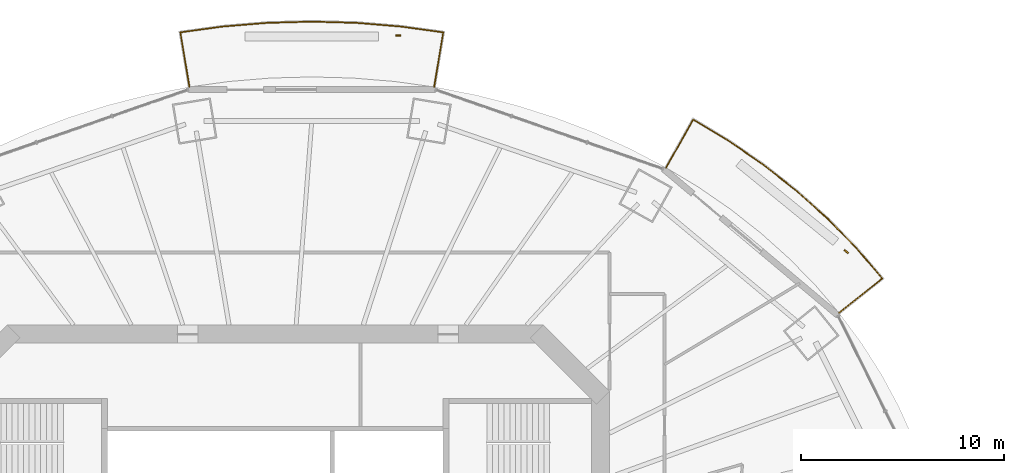
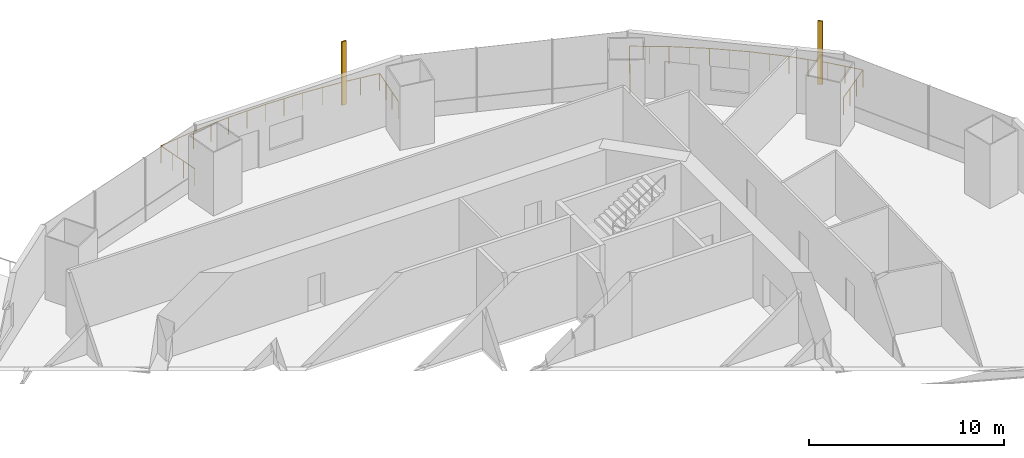
# One storey, part 18 of 20: 2 railings, 2 shading devices.
"""IFC4 building model written with IfcOpenShell, lengths in metres."""

from ifc_helpers import new_model, si_unit, direction, frame, origin, origin_2d, place, context, subcontext, project, spatial, rectangle, circle, extrude, material, material_profile, profile_set, type_object, element, save


model = new_model("IFC4")

# Units and contexts
model_context = context("Model", 3, precision=1e-05, world=origin(), true_north=direction((0.0, 1.0)))
body_context = subcontext(model_context, "Body", "Model", "MODEL_VIEW")
ifc_project = project(units=[si_unit("LENGTHUNIT", "METRE"), si_unit("AREAUNIT", "SQUARE_METRE"), si_unit("VOLUMEUNIT", "CUBIC_METRE"), si_unit("PLANEANGLEUNIT", "RADIAN"), si_unit("MASSUNIT", "GRAM", prefix="KILO")], contexts=[model_context])

# Site, building, storey
site_placement = place(None, origin())
site = spatial("IfcSite", under=ifc_project, at=site_placement, CompositionType="ELEMENT")
building_placement = place(site_placement, origin())
building = spatial("IfcBuilding", under=site, at=building_placement, Name="Marenthal Gate Tower", CompositionType="ELEMENT")
storey_placement = place(building_placement, frame((0.0, 0.0, 219.14990234375)))
storey = spatial("IfcBuildingStorey", under=building, at=storey_placement, Name="L48", CompositionType="ELEMENT", Elevation=219.14990234375)

# Railings
ifc_material_1 = material(Name="Stainless steel", Category="steel")
railing_type = type_object("IfcRailingType", Name="Balcony guard 1100", PredefinedType="GUARDRAIL", material=ifc_material_1)
railing_1_placement = place(storey_placement, frame((19.2314453125, 21.18701171875, 0.0)))
element("IfcRailing", 1, at=railing_1_placement, inside=storey, type_object=railing_type, Name="Balcony guard L48 bay 2", PredefinedType="GUARDRAIL", context=body_context, shape_type="SweptSolid", body=[
    extrude(circle(Radius=0.02392578125, at=origin_2d()), frame((0.0, 0.0, 1.076171875), z_axis=(0.489693071335, 0.871772141106, -0.014629760012), x_axis=(-0.871865448727, 0.489745484223, 0.0)), (0.0, 0.0, 1.0), 2.72021484375),
    extrude(circle(Radius=0.02392578125, at=origin_2d()), frame((1.33203125, 2.371337890625, 1.0361328125), z_axis=(0.856139874466, -0.51674414883, 0.0), x_axis=(0.51674414883, 0.856139874466, 0.0)), (0.0, 0.0, 1.0), 2.0263671875),
    extrude(circle(Radius=0.02392578125, at=origin_2d()), frame((3.06689453125, 1.32421875, 1.0361328125), z_axis=(0.823267382134, -0.56765378314, 0.0), x_axis=(0.56765378314, 0.823267382134, 0.0)), (0.0, 0.0, 1.0), 2.08984375),
    extrude(circle(Radius=0.02392578125, at=origin_2d()), frame((4.787353515625, 0.137939453125, 1.0361328125), z_axis=(0.785888916209, -0.618367699173, 0.0), x_axis=(0.618367699173, 0.785888916209, 0.0)), (0.0, 0.0, 1.0), 2.072265625),
    extrude(circle(Radius=0.02392578125, at=origin_2d()), frame((6.416015625, -1.1435546875, 1.0361328125), z_axis=(0.744433020663, -0.667697145229, 0.0), x_axis=(0.667697145229, 0.744433020663, 0.0)), (0.0, 0.0, 1.0), 2.05517578125),
    extrude(circle(Radius=0.02392578125, at=origin_2d()), frame((7.946044921875, -2.515869140625, 1.0361328125), z_axis=(0.698790859337, -0.715326033992, 0.0), x_axis=(0.715326033992, 0.698790859337, 0.0)), (0.0, 0.0, 1.0), 2.03759765625),
    extrude(circle(Radius=0.02392578125, at=origin_2d()), frame((9.369873046875, -3.973388671875, 1.0361328125), z_axis=(0.650003821806, -0.759930938729, 0.0), x_axis=(0.759930938729, 0.650003821806, 0.0)), (0.0, 0.0, 1.0), 1.941162109375),
    extrude(circle(Radius=0.02392578125, at=origin_2d()), frame((10.631591796875, -5.448486328125, 1.0361328125), z_axis=(-0.782821304056, -0.62207457675, 0.014629657482), x_axis=(0.622141157777, -0.782905089905, 0.0)), (0.0, 0.0, 1.0), 2.72021484375),
    extrude(circle(Radius=0.02099609375, at=origin_2d()), origin(), (0.0, 0.0, 1.0), 1.052001953125),
    extrude(circle(Radius=0.02099609375, at=origin_2d()), frame((0.444091796875, 0.79052734375, -0.01318359375)), (0.0, 0.0, 1.0), 1.052001953125),
    extrude(circle(Radius=0.02099609375, at=origin_2d()), frame((0.887939453125, 1.580810546875, -0.026611328125)), (0.0, 0.0, 1.0), 1.052001953125),
    extrude(circle(Radius=0.02099609375, at=origin_2d()), frame((1.33203125, 2.371337890625, -0.039794921875)), (0.0, 0.0, 1.0), 1.052001953125),
    extrude(circle(Radius=0.02099609375, at=origin_2d()), frame((2.199462890625, 1.84765625, -0.039794921875)), (0.0, 0.0, 1.0), 1.052001953125),
    extrude(circle(Radius=0.02099609375, at=origin_2d()), frame((3.06689453125, 1.32421875, -0.039794921875)), (0.0, 0.0, 1.0), 1.052001953125),
    extrude(circle(Radius=0.02099609375, at=origin_2d()), frame((3.92724609375, 0.73095703125, -0.039794921875)), (0.0, 0.0, 1.0), 1.052001953125),
    extrude(circle(Radius=0.02099609375, at=origin_2d()), frame((4.787353515625, 0.137939453125, -0.039794921875)), (0.0, 0.0, 1.0), 1.052001953125),
    extrude(circle(Radius=0.02099609375, at=origin_2d()), frame((5.6015625, -0.5029296875, -0.039794921875)), (0.0, 0.0, 1.0), 1.052001953125),
    extrude(circle(Radius=0.02099609375, at=origin_2d()), frame((6.416015625, -1.1435546875, -0.039794921875)), (0.0, 0.0, 1.0), 1.052001953125),
    extrude(circle(Radius=0.02099609375, at=origin_2d()), frame((7.18115234375, -1.82958984375, -0.039794921875)), (0.0, 0.0, 1.0), 1.052001953125),
    extrude(circle(Radius=0.02099609375, at=origin_2d()), frame((7.946044921875, -2.515869140625, -0.039794921875)), (0.0, 0.0, 1.0), 1.052001953125),
    extrude(circle(Radius=0.02099609375, at=origin_2d()), frame((8.657958984375, -3.24462890625, -0.039794921875)), (0.0, 0.0, 1.0), 1.052001953125),
    extrude(circle(Radius=0.02099609375, at=origin_2d()), frame((9.369873046875, -3.973388671875, -0.039794921875)), (0.0, 0.0, 1.0), 1.052001953125),
    extrude(circle(Radius=0.02099609375, at=origin_2d()), frame((10.000732421875, -4.7109375, -0.039794921875)), (0.0, 0.0, 1.0), 1.052001953125),
    extrude(circle(Radius=0.02099609375, at=origin_2d()), frame((10.631591796875, -5.448486328125, -0.039794921875)), (0.0, 0.0, 1.0), 1.052001953125),
    extrude(circle(Radius=0.02099609375, at=origin_2d()), frame((9.921875, -6.012451171875, -0.026611328125)), (0.0, 0.0, 1.0), 1.052001953125),
    extrude(circle(Radius=0.02099609375, at=origin_2d()), frame((9.2119140625, -6.57666015625, -0.01318359375)), (0.0, 0.0, 1.0), 1.052001953125),
    extrude(circle(Radius=0.02099609375, at=origin_2d()), frame((8.502197265625, -7.140625, 0.0)), (0.0, 0.0, 1.0), 1.052001953125),
])
railing_2_placement = place(storey_placement, frame((-4.2177734375, 25.15869140625, 0.0)))
element("IfcRailing", 2, at=railing_2_placement, inside=storey, type_object=railing_type, Name="Balcony guard L48 bay 4", PredefinedType="GUARDRAIL", context=body_context, shape_type="SweptSolid", body=[
    extrude(circle(Radius=0.02392578125, at=origin_2d()), frame((0.0, 0.0, 1.076171875), z_axis=(-0.164861634129, 0.986208218533, -0.014628441134), x_axis=(-0.986313755456, -0.164879276438, 0.0)), (0.0, 0.0, 1.0), 2.720458984375),
    extrude(circle(Radius=0.02392578125, at=origin_2d()), frame((-0.448486328125, 2.682861328125, 1.0361328125), z_axis=(0.990663789329, 0.136327754009, 0.0), x_axis=(-0.136327754009, 0.990663789329, 0.0)), (0.0, 0.0, 1.0), 2.10791015625),
    extrude(circle(Radius=0.02392578125, at=origin_2d()), frame((1.6396484375, 2.97021484375, 1.0361328125), z_axis=(0.99659779292, 0.082418682025, 0.0), x_axis=(-0.082418682025, 0.99659779292, 0.0)), (0.0, 0.0, 1.0), 2.192138671875),
    extrude(circle(Radius=0.02392578125, at=origin_2d()), frame((3.82421875, 3.15087890625, 1.0361328125), z_axis=(0.999619294509, 0.027591050088, 0.0), x_axis=(-0.027591050088, 0.999619294509, 0.0)), (0.0, 0.0, 1.0), 2.1943359375),
    extrude(circle(Radius=0.02392578125, at=origin_2d()), frame((6.017822265625, 3.21142578125, 1.0361328125), z_axis=(0.999619209801, -0.027594118881, 0.0), x_axis=(0.027594118881, 0.999619209801, 0.0)), (0.0, 0.0, 1.0), 2.194091796875),
    extrude(circle(Radius=0.02392578125, at=origin_2d()), frame((8.211181640625, 3.15087890625, 1.0361328125), z_axis=(0.996598549357, -0.082409534755, 0.0), x_axis=(0.082409534755, 0.996598549357, 0.0)), (0.0, 0.0, 1.0), 2.1923828125),
    extrude(circle(Radius=0.02392578125, at=origin_2d()), frame((10.39599609375, 2.97021484375, 1.0361328125), z_axis=(0.990663789329, -0.136327754009, 0.0), x_axis=(0.136327754009, 0.990663789329, 0.0)), (0.0, 0.0, 1.0), 2.10791015625),
    extrude(circle(Radius=0.02392578125, at=origin_2d()), frame((12.484130859375, 2.682861328125, 1.0361328125), z_axis=(-0.164948938016, -0.986193623428, 0.014628224645), x_axis=(0.986299155665, -0.164966589145, 0.0)), (0.0, 0.0, 1.0), 2.720458984375),
    extrude(circle(Radius=0.02099609375, at=origin_2d()), origin(), (0.0, 0.0, 1.0), 1.052001953125),
    extrude(circle(Radius=0.02099609375, at=origin_2d()), frame((-0.1494140625, 0.894287109375, -0.01318359375)), (0.0, 0.0, 1.0), 1.052001953125),
    extrude(circle(Radius=0.02099609375, at=origin_2d()), frame((-0.299072265625, 1.78857421875, -0.026611328125)), (0.0, 0.0, 1.0), 1.052001953125),
    extrude(circle(Radius=0.02099609375, at=origin_2d()), frame((-0.448486328125, 2.682861328125, -0.039794921875)), (0.0, 0.0, 1.0), 1.052001953125),
    extrude(circle(Radius=0.02099609375, at=origin_2d()), frame((0.595703125, 2.82666015625, -0.039794921875)), (0.0, 0.0, 1.0), 1.052001953125),
    extrude(circle(Radius=0.02099609375, at=origin_2d()), frame((1.6396484375, 2.97021484375, -0.039794921875)), (0.0, 0.0, 1.0), 1.052001953125),
    extrude(circle(Radius=0.02099609375, at=origin_2d()), frame((2.73193359375, 3.060546875, -0.039794921875)), (0.0, 0.0, 1.0), 1.052001953125),
    extrude(circle(Radius=0.02099609375, at=origin_2d()), frame((3.82421875, 3.15087890625, -0.039794921875)), (0.0, 0.0, 1.0), 1.052001953125),
    extrude(circle(Radius=0.02099609375, at=origin_2d()), frame((4.9208984375, 3.18115234375, -0.039794921875)), (0.0, 0.0, 1.0), 1.052001953125),
    extrude(circle(Radius=0.02099609375, at=origin_2d()), frame((6.017822265625, 3.21142578125, -0.039794921875)), (0.0, 0.0, 1.0), 1.052001953125),
    extrude(circle(Radius=0.02099609375, at=origin_2d()), frame((7.114501953125, 3.18115234375, -0.039794921875)), (0.0, 0.0, 1.0), 1.052001953125),
    extrude(circle(Radius=0.02099609375, at=origin_2d()), frame((8.211181640625, 3.15087890625, -0.039794921875)), (0.0, 0.0, 1.0), 1.052001953125),
    extrude(circle(Radius=0.02099609375, at=origin_2d()), frame((9.3037109375, 3.060546875, -0.039794921875)), (0.0, 0.0, 1.0), 1.052001953125),
    extrude(circle(Radius=0.02099609375, at=origin_2d()), frame((10.39599609375, 2.97021484375, -0.039794921875)), (0.0, 0.0, 1.0), 1.052001953125),
    extrude(circle(Radius=0.02099609375, at=origin_2d()), frame((11.43994140625, 2.82666015625, -0.039794921875)), (0.0, 0.0, 1.0), 1.052001953125),
    extrude(circle(Radius=0.02099609375, at=origin_2d()), frame((12.484130859375, 2.682861328125, -0.039794921875)), (0.0, 0.0, 1.0), 1.052001953125),
    extrude(circle(Radius=0.02099609375, at=origin_2d()), frame((12.33447265625, 1.78857421875, -0.026611328125)), (0.0, 0.0, 1.0), 1.052001953125),
    extrude(circle(Radius=0.02099609375, at=origin_2d()), frame((12.18505859375, 0.894287109375, -0.01318359375)), (0.0, 0.0, 1.0), 1.052001953125),
    extrude(circle(Radius=0.02099609375, at=origin_2d()), frame((12.035400390625, 0.0, 0.0)), (0.0, 0.0, 1.0), 1.052001953125),
])

# Shading devices
ifc_material_2 = material(Name="Terracotta", Category="masonry")
ifc_material_profile = material_profile(ifc_material_2, rectangle(XDim=0.25, YDim=0.080078125, at=origin_2d()), Name="Terracotta baguette 250x80")
ifc_profile_set = profile_set([ifc_material_profile], Name="Terracotta")
shading_device_type = type_object("IfcShadingDeviceType", Name="Terracotta BAGUETTE SCREEN 250x80", PredefinedType="USERDEFINED", material=ifc_profile_set)
for number, where, z_axis, x_axis, name in (
    (3, (28.096923828125, 17.059814453125, -0.039794921875), (0.0, 0.0, 1.0), (-0.765627996549, 0.643283585131, 0.0), "Terracotta BAGUETTE L48 bay 2L"),
    (4, (6.05810546875, 27.695068359375, -0.039794921875), (0.0, 0.0, 1.0), (-1.0, 0.0, 0.0), "Terracotta BAGUETTE L48 bay 4L"),
):
    element("IfcShadingDevice", number, at=place(storey_placement, frame(where, z_axis=z_axis, x_axis=x_axis)), inside=storey, type_object=shading_device_type, Name=name, ObjectType="BAGUETTE SCREEN", PredefinedType="USERDEFINED", context=body_context, shape_type="SweptSolid", body=[
        extrude(rectangle(XDim=0.25, YDim=0.080078125, at=origin_2d()), origin(), (0.0, 0.0, 1.0), 3.969970703125),
    ])

save(model, "model.ifc")
